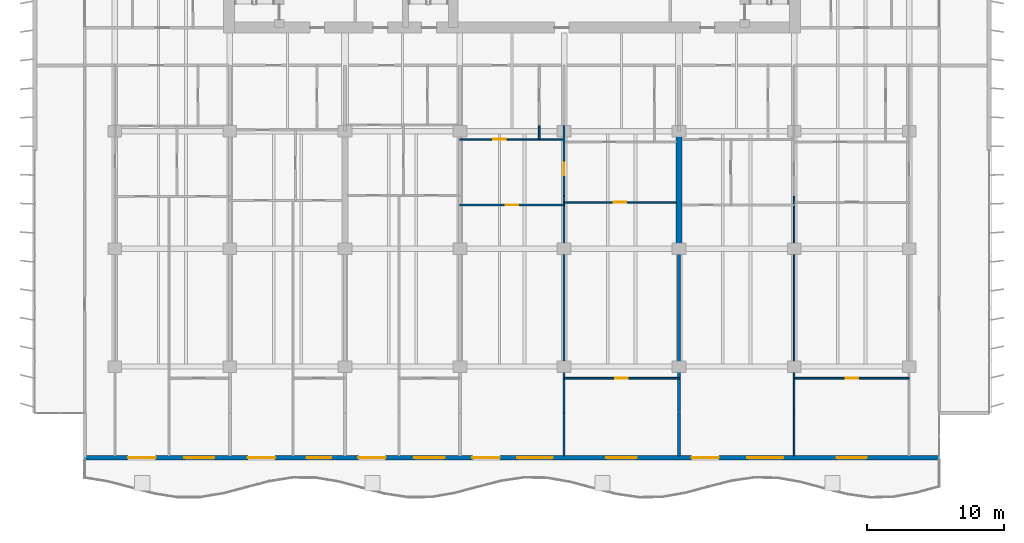
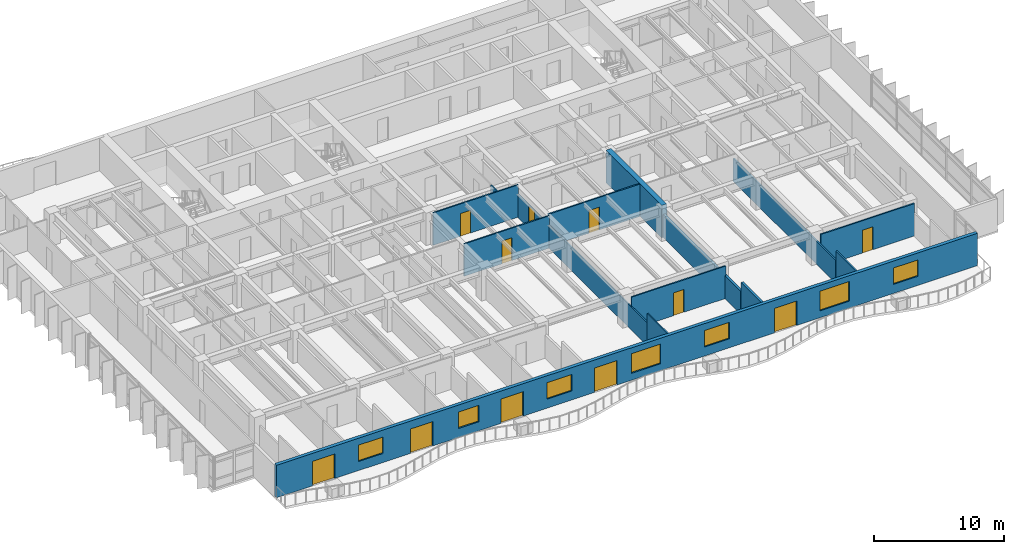
# One storey, part 8 of 16: 15 walls, 11 doors, 7 windows, 18 openings.
"""IFC4 building model written with IfcOpenShell, lengths in metres."""

import ifcopenshell
import ifcopenshell.guid

model = None  # the IFC model being written
_history = None  # IfcOwnerHistory: only IFC2X3 demands one
_inside = {}  # id of a spatial element -> (the spatial element, [elements in it])
_under = {}  # id of a project, library or spatial element -> (it, [spatial elements below it])
_declared = {}  # id of a project -> (the project, [libraries it declares])
_typed = {}  # id of a type object -> (the type object, [elements of that type])
_made_of = {}  # id of a material, layer set ... -> (it, [elements and type objects made of it])


def new_model(schema):
    """Start an empty IFC model of exactly this schema.

    Asked for "IFC4X3", IfcOpenShell would pick the latest addendum, in which some entities
    have other attributes; the version numbers below select the first issue.
    IFC2X3 requires an IfcOwnerHistory on every rooted entity: one is made here for all.
    """
    global model, _history
    if schema == "IFC4X3":
        model = ifcopenshell.file(schema_version=(4, 3, 0, 0))
    else:
        model = ifcopenshell.file(schema=schema)
    _inside.clear()
    _under.clear()
    _declared.clear()
    _typed.clear()
    _made_of.clear()
    _history = None
    if model.schema == "IFC2X3":
        org = make("IfcOrganization", Name="unknown")
        user = make(
            "IfcPersonAndOrganization",
            ThePerson=make("IfcPerson", FamilyName="unknown"),
            TheOrganization=org,
        )
        app = make(
            "IfcApplication",
            ApplicationDeveloper=org,
            Version="unknown",
            ApplicationFullName="unknown",
            ApplicationIdentifier="unknown",
        )
        _history = make(
            "IfcOwnerHistory",
            OwningUser=user,
            OwningApplication=app,
            ChangeAction="ADDED",
            CreationDate=0,
        )
    return model


def make(cls, **values):
    """One entity of the class cls with the attributes given. An attribute that is None is left unset."""
    return model.create_entity(
        cls, **{name: value for name, value in values.items() if value is not None}
    )


def rooted(cls, **values):
    """An entity with a GlobalId (a new one), such as an element, a storey or a relation."""
    return make(cls, GlobalId=ifcopenshell.guid.new(), OwnerHistory=_history, **values)


def si_unit(unit_type, name, prefix=None):
    """IfcSIUnit, for example si_unit("LENGTHUNIT", "METRE", prefix="MILLI")."""
    return make("IfcSIUnit", UnitType=unit_type, Prefix=prefix, Name=name)


def assignment(units):
    """IfcUnitAssignment: the units of a project."""
    return None if units is None else make("IfcUnitAssignment", Units=units)


def point(xyz):
    """IfcCartesianPoint."""
    return None if xyz is None else make("IfcCartesianPoint", Coordinates=xyz)


def direction(xyz):
    """IfcDirection."""
    return None if xyz is None else make("IfcDirection", DirectionRatios=xyz)


def frame(location, z_axis=None, x_axis=None):
    """IfcAxis2Placement3D, a coordinate frame: its origin and axes. An axis left out is left unset."""
    return make(
        "IfcAxis2Placement3D",
        Location=point(location),
        Axis=direction(z_axis),
        RefDirection=direction(x_axis),
    )


def frame_2d(location, x_axis=None):
    """IfcAxis2Placement2D, a coordinate frame in the plane: its origin and x axis."""
    return make(
        "IfcAxis2Placement2D", Location=point(location), RefDirection=direction(x_axis)
    )


def origin():
    """The frame at (0, 0, 0) with its axes left unset."""
    return frame((0.0, 0.0, 0.0))


def place(relative_to, where):
    """IfcLocalPlacement: puts the frame where relative to a parent placement (None: the world)."""
    return make(
        "IfcLocalPlacement", PlacementRelTo=relative_to, RelativePlacement=where
    )


def context(
    kind, dimensions, precision=None, world=None, true_north=None, identifier=None
):
    """IfcGeometricRepresentationContext, for example the 3D "Model" context."""
    return make(
        "IfcGeometricRepresentationContext",
        ContextIdentifier=identifier,
        ContextType=kind,
        CoordinateSpaceDimension=dimensions,
        Precision=precision,
        WorldCoordinateSystem=world,
        TrueNorth=true_north,
    )


def subcontext(parent, identifier, kind, view, scale=None):
    """IfcGeometricRepresentationSubContext, for example "Body" below "Model"."""
    return make(
        "IfcGeometricRepresentationSubContext",
        ContextIdentifier=identifier,
        ContextType=kind,
        ParentContext=parent,
        TargetScale=scale,
        TargetView=view,
    )


def project(units=None, contexts=None):
    """IfcProject with its units and contexts."""
    return rooted(
        "IfcProject",
        Name="project",
        RepresentationContexts=contexts,
        UnitsInContext=assignment(units),
    )


def spatial(cls, under=None, at=None, **own):
    """A site, building, storey or space (cls), placed at a placement, below another one or the project."""
    s = rooted(cls, ObjectPlacement=at, **own)
    if under is not None:
        _under.setdefault(under.id(), (under, []))[1].append(s)
    return s


def profile(cls, at=None, kind="AREA", **sizes):
    """A parametric profile (cls). Its sizes go by their IFC names, for example OverallWidth=200.0."""
    return make(cls, ProfileType=kind, Position=at, **sizes)


def rectangle(**sizes):
    """IfcRectangleProfileDef."""
    return profile("IfcRectangleProfileDef", **sizes)


def extrude(swept, where, along, depth):
    """IfcExtrudedAreaSolid: the profile swept, set in the frame where, extruded along a direction by depth."""
    return make(
        "IfcExtrudedAreaSolid",
        SweptArea=swept,
        Position=where,
        ExtrudedDirection=direction(along),
        Depth=depth,
    )


def shape(context_of_items, identifier, shape_type, items):
    """IfcShapeRepresentation: the items that make up one representation, for example the "Body"."""
    return make(
        "IfcShapeRepresentation",
        ContextOfItems=context_of_items,
        RepresentationIdentifier=identifier,
        RepresentationType=shape_type,
        Items=items,
    )


def material(Name=None, Category=None):
    """IfcMaterial."""
    return make("IfcMaterial", Name=Name, Category=Category)


def layer(
    of_material, thickness, ventilated=None, Name=None, Category=None, Priority=None
):
    """IfcMaterialLayer: one layer of a wall or slab, of a material (None: an air gap)."""
    return make(
        "IfcMaterialLayer",
        Material=of_material,
        LayerThickness=thickness,
        IsVentilated=ventilated,
        Name=Name,
        Category=Category,
        Priority=Priority,
    )


def layer_set(layers, Name=None):
    """IfcMaterialLayerSet."""
    return make("IfcMaterialLayerSet", MaterialLayers=layers, LayerSetName=Name)


def made_of(thing, what):
    """Note that an element or type object is made of a material, layer set ...; save() writes the relation."""
    if what is not None:
        _made_of.setdefault(what.id(), (what, []))[1].append(thing)
    return thing


def type_object(cls, material=None, **own):
    """A type object (cls), such as IfcWallType, which elements share."""
    return made_of(rooted(cls, **own), material)


def element(
    cls,
    number,
    at=None,
    inside=None,
    cuts=None,
    type_object=None,
    material=None,
    context=None,
    identifier="Body",
    shape_type=None,
    held_by="IfcProductDefinitionShape",
    body=None,
    shapes=None,
    **own,
):
    """One element of the class cls, such as IfcWall. Its Tag is "e" and its number.

    at: its placement. inside: the storey or other place that contains it. cuts: it is an
    opening in that element (IfcRelVoidsElement). A single representation is given by context,
    identifier, shape_type and body (its items); several are given by shapes. held_by: the class
    of the entity that holds the representations. save() writes the other relations.
    """
    e = rooted(cls, Tag="e%d" % number, ObjectPlacement=at, **own)
    if body is not None:
        shapes = [shape(context, identifier, shape_type, body)]
    if shapes is not None:
        e.Representation = make(held_by, Representations=shapes)
    if inside is not None:
        _inside.setdefault(inside.id(), (inside, []))[1].append(e)
    if cuts is not None:
        rooted(
            "IfcRelVoidsElement", RelatingBuildingElement=cuts, RelatedOpeningElement=e
        )
    if type_object is not None:
        _typed.setdefault(type_object.id(), (type_object, []))[1].append(e)
    return made_of(e, material)


def fill(opening, filler):
    """IfcRelFillsElement: the door or window that sits in an opening."""
    return rooted(
        "IfcRelFillsElement",
        RelatingOpeningElement=opening,
        RelatedBuildingElement=filler,
    )


def aggregate(whole, parts):
    """IfcRelAggregates: a whole, such as a stair, and the parts it consists of."""
    return rooted("IfcRelAggregates", RelatingObject=whole, RelatedObjects=parts)


def save(model, path):
    """Write the relations noted so far, then the file.

    IfcRelAggregates (storeys below a building ...), IfcRelContainedInSpatialStructure (elements
    in a storey), IfcRelDefinesByType, IfcRelAssociatesMaterial and IfcRelDeclares: one each for
    every whole, place, type object, material and project.
    """
    for whole, parts in _under.values():
        aggregate(whole, parts)
    for where, things in _inside.values():
        rooted(
            "IfcRelContainedInSpatialStructure",
            RelatedElements=things,
            RelatingStructure=where,
        )
    for kind, things in _typed.values():
        rooted("IfcRelDefinesByType", RelatedObjects=things, RelatingType=kind)
    for what, things in _made_of.values():
        rooted("IfcRelAssociatesMaterial", RelatedObjects=things, RelatingMaterial=what)
    for by, libraries in _declared.values():
        rooted("IfcRelDeclares", RelatingContext=by, RelatedDefinitions=libraries)
    model.write(path)


model = new_model("IFC4")

# Units and contexts
model_context = context("Model", 3, precision=1e-05, world=origin(), true_north=direction((0.0, 1.0)))
body_context = subcontext(model_context, "Body", "Model", "MODEL_VIEW")
ifc_project = project(units=[si_unit("LENGTHUNIT", "METRE"), si_unit("AREAUNIT", "SQUARE_METRE"), si_unit("VOLUMEUNIT", "CUBIC_METRE"), si_unit("PLANEANGLEUNIT", "RADIAN"), si_unit("MASSUNIT", "GRAM", prefix="KILO")], contexts=[model_context])

# Site, building, storey
site_placement = place(None, origin())
site = spatial("IfcSite", under=ifc_project, at=site_placement, CompositionType="ELEMENT")
building_placement = place(site_placement, origin())
building = spatial("IfcBuilding", under=site, at=building_placement, Name="Caelmar Bay Residences", CompositionType="ELEMENT")
storey_placement = place(building_placement, frame((0.0, 0.0, 142.199951171875)))
storey = spatial("IfcBuildingStorey", under=building, at=storey_placement, Name="L39", CompositionType="ELEMENT", Elevation=142.199951171875)

# Wall
ifc_material_1 = material(Name="Concrete f'c 55 MPa (8,000 psi)", Category="concrete")
ifc_layer_1 = layer(ifc_material_1, 0.449951171875)
ifc_layer_set_1 = layer_set([ifc_layer_1], Name="Concrete f'c 55 MPa (8,000 psi)")
wall_type_1 = type_object("IfcWallType", Name="SW-XSLB-450", PredefinedType="SHEAR", material=ifc_layer_set_1)
wall_1_placement = place(storey_placement, frame((51.10009765625, 20.800048828125, 0.0), z_axis=(0.0, 0.0, 1.0), x_axis=(0.0, 1.0, 0.0)))
element("IfcWall", 1, at=wall_1_placement, inside=storey, type_object=wall_type_1, Name="L39 Transverse Cross-Slab Shear Wall E8", PredefinedType="SHEAR", context=body_context, shape_type="SweptSolid", body=[
    extrude(rectangle(XDim=8.599853515625, YDim=0.449951171875, at=frame_2d((4.2998046875, 0.0))), origin(), (0.0, 0.0, 1.0), 3.050048828125),
])

# Wall, openings, doors, windows
ifc_material_2 = material(Name="Precast concrete f'c 40 MPa (6,000 psi)", Category="concrete")
ifc_layer_2 = layer(ifc_material_2, 0.300048828125)
ifc_layer_set_2 = layer_set([ifc_layer_2], Name="Precast concrete f'c 40 MPa (6,000 psi)")
wall_type_2 = type_object("IfcWallType", Name="W-EXT-300", PredefinedType="STANDARD", material=ifc_layer_set_2)
wall_2_placement = place(storey_placement, frame((70.10009765625, 5.550048828125, 0.0), z_axis=(0.0, 0.0, 1.0), x_axis=(-1.0, 0.0, 0.0)))
wall_2 = element("IfcWall", 2, at=wall_2_placement, inside=storey, type_object=wall_type_2, Name="L39 South Bayfront Exterior Wall", PredefinedType="STANDARD", context=body_context, shape_type="SweptSolid", body=[
    extrude(rectangle(XDim=62.400146484375, YDim=0.300048828125, at=frame_2d((31.2001953125, 0.0))), origin(), (0.0, 0.0, 1.0), 3.050048828125),
])
opening_1_placement = place(wall_2_placement, frame((57.22607421875, 0.0, 0.0)))
opening_1 = element("IfcOpeningElement", 3, at=opening_1_placement, cuts=wall_2, Name="Opening L39-BD01", PredefinedType="OPENING", context=body_context, shape_type="SweptSolid", body=[
    extrude(rectangle(XDim=2.0, YDim=2.300048828125, at=frame_2d((1.0, 1.14990234375))), frame((0.0, 0.159912109375, 0.0), z_axis=(0.0, -1.0, 0.0), x_axis=(1.0, 0.0, 0.0)), (0.0, 0.0, 1.0), 0.320068359375),
])
opening_2_placement = place(wall_2_placement, frame((52.926025390625, 0.0, 0.85009765625)))
opening_2 = element("IfcOpeningElement", 4, at=opening_2_placement, cuts=wall_2, Name="Opening WN2", PredefinedType="OPENING", context=body_context, shape_type="SweptSolid", body=[
    extrude(rectangle(XDim=2.199951171875, YDim=1.550048828125, at=frame_2d((1.10009765625, 0.77490234375))), frame((0.0, 0.159912109375, 0.0), z_axis=(0.0, -1.0, 0.0), x_axis=(1.0, 0.0, 0.0)), (0.0, 0.0, 1.0), 0.320068359375),
])
opening_3_placement = place(wall_2_placement, frame((48.489990234375, 0.0, 0.0)))
opening_3 = element("IfcOpeningElement", 5, at=opening_3_placement, cuts=wall_2, Name="Opening L39-BD02", PredefinedType="OPENING", context=body_context, shape_type="SweptSolid", body=[
    extrude(rectangle(XDim=2.0, YDim=2.300048828125, at=frame_2d((1.0, 1.14990234375))), frame((0.0, 0.159912109375, 0.0), z_axis=(0.0, -1.0, 0.0), x_axis=(1.0, 0.0, 0.0)), (0.0, 0.0, 1.0), 0.320068359375),
])
opening_4_placement = place(wall_2_placement, frame((44.389892578125, 0.0, 0.85009765625)))
opening_4 = element("IfcOpeningElement", 6, at=opening_4_placement, cuts=wall_2, Name="Opening WN1", PredefinedType="OPENING", context=body_context, shape_type="SweptSolid", body=[
    extrude(rectangle(XDim=1.800048828125, YDim=1.550048828125, at=frame_2d((0.89990234375, 0.77490234375))), frame((0.0, 0.159912109375, 0.0), z_axis=(0.0, -1.0, 0.0), x_axis=(1.0, 0.0, 0.0)), (0.0, 0.0, 1.0), 0.320068359375),
])
opening_5_placement = place(wall_2_placement, frame((40.426025390625, 0.0, 0.0)))
opening_5 = element("IfcOpeningElement", 7, at=opening_5_placement, cuts=wall_2, Name="Opening L39-BD03", PredefinedType="OPENING", context=body_context, shape_type="SweptSolid", body=[
    extrude(rectangle(XDim=2.0, YDim=2.300048828125, at=frame_2d((1.0, 1.14990234375))), frame((0.0, 0.159912109375, 0.0), z_axis=(0.0, -1.0, 0.0), x_axis=(1.0, 0.0, 0.0)), (0.0, 0.0, 1.0), 0.320068359375),
])
opening_6_placement = place(wall_2_placement, frame((36.1259765625, 0.0, 0.85009765625)))
opening_6 = element("IfcOpeningElement", 8, at=opening_6_placement, cuts=wall_2, Name="Opening WN2", PredefinedType="OPENING", context=body_context, shape_type="SweptSolid", body=[
    extrude(rectangle(XDim=2.199951171875, YDim=1.550048828125, at=frame_2d((1.10009765625, 0.77490234375))), frame((0.0, 0.159912109375, 0.0), z_axis=(0.0, -1.0, 0.0), x_axis=(1.0, 0.0, 0.0)), (0.0, 0.0, 1.0), 0.320068359375),
])
opening_7_placement = place(wall_2_placement, frame((32.090087890625, 0.0, 0.0)))
opening_7 = element("IfcOpeningElement", 9, at=opening_7_placement, cuts=wall_2, Name="Opening L39-BD04", PredefinedType="OPENING", context=body_context, shape_type="SweptSolid", body=[
    extrude(rectangle(XDim=2.0, YDim=2.300048828125, at=frame_2d((1.0, 1.14990234375))), frame((0.0, 0.159912109375, 0.0), z_axis=(0.0, -1.0, 0.0), x_axis=(1.0, 0.0, 0.0)), (0.0, 0.0, 1.0), 0.320068359375),
])
opening_8_placement = place(wall_2_placement, frame((28.2099609375, 0.0, 0.64990234375)))
opening_8 = element("IfcOpeningElement", 10, at=opening_8_placement, cuts=wall_2, Name="Opening WN3", PredefinedType="OPENING", context=body_context, shape_type="SweptSolid", body=[
    extrude(rectangle(XDim=2.60009765625, YDim=1.85009765625, at=frame_2d((1.300048828125, 0.925048828125))), frame((0.0, 0.159912109375, 0.0), z_axis=(0.0, -1.0, 0.0), x_axis=(1.0, 0.0, 0.0)), (0.0, 0.0, 1.0), 0.320068359375),
])
opening_9_placement = place(wall_2_placement, frame((22.10009765625, 0.0, 0.85009765625)))
opening_9 = element("IfcOpeningElement", 11, at=opening_9_placement, cuts=wall_2, Name="Opening WN2", PredefinedType="OPENING", context=body_context, shape_type="SweptSolid", body=[
    extrude(rectangle(XDim=2.199951171875, YDim=1.550048828125, at=frame_2d((1.10009765625, 0.77490234375))), frame((0.0, 0.159912109375, 0.0), z_axis=(0.0, -1.0, 0.0), x_axis=(1.0, 0.0, 0.0)), (0.0, 0.0, 1.0), 0.320068359375),
])
opening_10_placement = place(wall_2_placement, frame((16.090087890625, 0.0, 0.0)))
opening_10 = element("IfcOpeningElement", 12, at=opening_10_placement, cuts=wall_2, Name="Opening L39-BD05", PredefinedType="OPENING", context=body_context, shape_type="SweptSolid", body=[
    extrude(rectangle(XDim=2.0, YDim=2.300048828125, at=frame_2d((1.0, 1.14990234375))), frame((0.0, 0.159912109375, 0.0), z_axis=(0.0, -1.0, 0.0), x_axis=(1.0, 0.0, 0.0)), (0.0, 0.0, 1.0), 0.320068359375),
])
opening_11_placement = place(wall_2_placement, frame((11.409912109375, 0.0, 0.64990234375)))
opening_11 = element("IfcOpeningElement", 13, at=opening_11_placement, cuts=wall_2, Name="Opening WN3", PredefinedType="OPENING", context=body_context, shape_type="SweptSolid", body=[
    extrude(rectangle(XDim=2.60009765625, YDim=1.85009765625, at=frame_2d((1.300048828125, 0.925048828125))), frame((0.0, 0.159912109375, 0.0), z_axis=(0.0, -1.0, 0.0), x_axis=(1.0, 0.0, 0.0)), (0.0, 0.0, 1.0), 0.320068359375),
])
opening_12_placement = place(wall_2_placement, frame((5.300048828125, 0.0, 0.85009765625)))
opening_12 = element("IfcOpeningElement", 14, at=opening_12_placement, cuts=wall_2, Name="Opening WN2", PredefinedType="OPENING", context=body_context, shape_type="SweptSolid", body=[
    extrude(rectangle(XDim=2.199951171875, YDim=1.550048828125, at=frame_2d((1.10009765625, 0.77490234375))), frame((0.0, 0.159912109375, 0.0), z_axis=(0.0, -1.0, 0.0), x_axis=(1.0, 0.0, 0.0)), (0.0, 0.0, 1.0), 0.320068359375),
])
ifc_material_3 = material(Name="Anodised bronze thermally broken sliding glass door", Category="glass")
ifc_layer_3 = layer(ifc_material_3, 0.050048828125)
ifc_layer_set_3 = layer_set([ifc_layer_3], Name="Anodised bronze thermally broken sliding glass door")
door_type_1 = type_object("IfcDoorType", Name="D-BAL-2000", OperationType="DOUBLE_DOOR_SLIDING", PredefinedType="DOOR", material=ifc_layer_set_3)
door_1_placement = place(opening_1_placement, origin())
door_1 = element("IfcDoor", 15, at=door_1_placement, inside=storey, type_object=door_type_1, Name="L39 Residence 01 Living Room Balcony Door", OperationType="DOUBLE_DOOR_SLIDING", OverallHeight=2.300048828125, OverallWidth=2.0, PredefinedType="DOOR", context=body_context, shape_type="SweptSolid", body=[
    extrude(rectangle(XDim=2.0, YDim=2.300048828125, at=frame_2d((1.0, 1.14990234375))), frame((0.0, 0.02490234375, 0.0), z_axis=(0.0, -1.0, 0.0), x_axis=(1.0, 0.0, 0.0)), (0.0, 0.0, 1.0), 0.050048828125),
])
fill(opening_1, door_1)
door_2_placement = place(opening_3_placement, origin())
door_2 = element("IfcDoor", 16, at=door_2_placement, inside=storey, type_object=door_type_1, Name="L39 Residence 02 Penthouse Living Salon Balcony Door", OperationType="DOUBLE_DOOR_SLIDING", OverallHeight=2.300048828125, OverallWidth=2.0, PredefinedType="DOOR", context=body_context, shape_type="SweptSolid", body=[
    extrude(rectangle(XDim=2.0, YDim=2.300048828125, at=frame_2d((1.0, 1.14990234375))), frame((0.0, 0.02490234375, 0.0), z_axis=(0.0, -1.0, 0.0), x_axis=(1.0, 0.0, 0.0)), (0.0, 0.0, 1.0), 0.050048828125),
])
fill(opening_3, door_2)
door_3_placement = place(opening_5_placement, origin())
door_3 = element("IfcDoor", 17, at=door_3_placement, inside=storey, type_object=door_type_1, Name="L39 Residence 03 Living Room Balcony Door", OperationType="DOUBLE_DOOR_SLIDING", OverallHeight=2.300048828125, OverallWidth=2.0, PredefinedType="DOOR", context=body_context, shape_type="SweptSolid", body=[
    extrude(rectangle(XDim=2.0, YDim=2.300048828125, at=frame_2d((1.0, 1.14990234375))), frame((0.0, 0.02490234375, 0.0), z_axis=(0.0, -1.0, 0.0), x_axis=(1.0, 0.0, 0.0)), (0.0, 0.0, 1.0), 0.050048828125),
])
fill(opening_5, door_3)
door_4_placement = place(opening_7_placement, origin())
door_4 = element("IfcDoor", 18, at=door_4_placement, inside=storey, type_object=door_type_1, Name="L39 Residence 04 Penthouse Living Salon Balcony Door", OperationType="DOUBLE_DOOR_SLIDING", OverallHeight=2.300048828125, OverallWidth=2.0, PredefinedType="DOOR", context=body_context, shape_type="SweptSolid", body=[
    extrude(rectangle(XDim=2.0, YDim=2.300048828125, at=frame_2d((1.0, 1.14990234375))), frame((0.0, 0.02490234375, 0.0), z_axis=(0.0, -1.0, 0.0), x_axis=(1.0, 0.0, 0.0)), (0.0, 0.0, 1.0), 0.050048828125),
])
fill(opening_7, door_4)
door_5_placement = place(opening_10_placement, origin())
door_5 = element("IfcDoor", 19, at=door_5_placement, inside=storey, type_object=door_type_1, Name="L39 Residence 05 Penthouse Living Salon Balcony Door", OperationType="DOUBLE_DOOR_SLIDING", OverallHeight=2.300048828125, OverallWidth=2.0, PredefinedType="DOOR", context=body_context, shape_type="SweptSolid", body=[
    extrude(rectangle(XDim=2.0, YDim=2.300048828125, at=frame_2d((1.0, 1.14990234375))), frame((0.0, 0.02490234375, 0.0), z_axis=(0.0, -1.0, 0.0), x_axis=(1.0, 0.0, 0.0)), (0.0, 0.0, 1.0), 0.050048828125),
])
fill(opening_10, door_5)
ifc_material_4 = material(Name="Bronze aluminium frame with laminated low-E glass", Category="aluminium")
ifc_layer_4 = layer(ifc_material_4, 0.06005859375)
ifc_layer_set_4 = layer_set([ifc_layer_4], Name="Bronze aluminium frame with laminated low-E glass")
window_type_1 = type_object("IfcWindowType", Name="WIN-BR-1800", PartitioningType="SINGLE_PANEL", PredefinedType="WINDOW", material=ifc_layer_set_4)
window_1_placement = place(opening_4_placement, origin())
window_1 = element("IfcWindow", 20, at=window_1_placement, inside=storey, type_object=window_type_1, Name="L39 Residence 02 Primary Bedroom Window", OverallHeight=1.550048828125, OverallWidth=1.800048828125, PartitioningType="SINGLE_PANEL", PredefinedType="WINDOW", context=body_context, shape_type="SweptSolid", body=[
    extrude(rectangle(XDim=1.800048828125, YDim=1.550048828125, at=frame_2d((0.89990234375, 0.77490234375))), frame((0.0, 0.030029296875, 0.0), z_axis=(0.0, -1.0, 0.0), x_axis=(1.0, 0.0, 0.0)), (0.0, 0.0, 1.0), 0.06005859375),
])
fill(opening_4, window_1)
ifc_layer_5 = layer(ifc_material_4, 0.06005859375)
ifc_layer_set_5 = layer_set([ifc_layer_5], Name="Bronze aluminium frame with laminated low-E glass")
window_type_2 = type_object("IfcWindowType", Name="WIN-BR-2200", PartitioningType="SINGLE_PANEL", PredefinedType="WINDOW", material=ifc_layer_set_5)
window_2_placement = place(opening_2_placement, origin())
window_2 = element("IfcWindow", 21, at=window_2_placement, inside=storey, type_object=window_type_2, Name="L39 Residence 01 Primary Bedroom Window", OverallHeight=1.550048828125, OverallWidth=2.199951171875, PartitioningType="SINGLE_PANEL", PredefinedType="WINDOW", context=body_context, shape_type="SweptSolid", body=[
    extrude(rectangle(XDim=2.199951171875, YDim=1.550048828125, at=frame_2d((1.10009765625, 0.77490234375))), frame((0.0, 0.030029296875, 0.0), z_axis=(0.0, -1.0, 0.0), x_axis=(1.0, 0.0, 0.0)), (0.0, 0.0, 1.0), 0.06005859375),
])
fill(opening_2, window_2)
window_3_placement = place(opening_6_placement, origin())
window_3 = element("IfcWindow", 22, at=window_3_placement, inside=storey, type_object=window_type_2, Name="L39 Residence 03 Primary Bedroom Window", OverallHeight=1.550048828125, OverallWidth=2.199951171875, PartitioningType="SINGLE_PANEL", PredefinedType="WINDOW", context=body_context, shape_type="SweptSolid", body=[
    extrude(rectangle(XDim=2.199951171875, YDim=1.550048828125, at=frame_2d((1.10009765625, 0.77490234375))), frame((0.0, 0.030029296875, 0.0), z_axis=(0.0, -1.0, 0.0), x_axis=(1.0, 0.0, 0.0)), (0.0, 0.0, 1.0), 0.06005859375),
])
fill(opening_6, window_3)
window_4_placement = place(opening_9_placement, origin())
window_4 = element("IfcWindow", 23, at=window_4_placement, inside=storey, type_object=window_type_2, Name="L39 Residence 04 Primary Bedroom 1 Window", OverallHeight=1.550048828125, OverallWidth=2.199951171875, PartitioningType="SINGLE_PANEL", PredefinedType="WINDOW", context=body_context, shape_type="SweptSolid", body=[
    extrude(rectangle(XDim=2.199951171875, YDim=1.550048828125, at=frame_2d((1.10009765625, 0.77490234375))), frame((0.0, 0.030029296875, 0.0), z_axis=(0.0, -1.0, 0.0), x_axis=(1.0, 0.0, 0.0)), (0.0, 0.0, 1.0), 0.06005859375),
])
fill(opening_9, window_4)
window_5_placement = place(opening_12_placement, origin())
window_5 = element("IfcWindow", 24, at=window_5_placement, inside=storey, type_object=window_type_2, Name="L39 Residence 05 Primary Bedroom 1 Window", OverallHeight=1.550048828125, OverallWidth=2.199951171875, PartitioningType="SINGLE_PANEL", PredefinedType="WINDOW", context=body_context, shape_type="SweptSolid", body=[
    extrude(rectangle(XDim=2.199951171875, YDim=1.550048828125, at=frame_2d((1.10009765625, 0.77490234375))), frame((0.0, 0.030029296875, 0.0), z_axis=(0.0, -1.0, 0.0), x_axis=(1.0, 0.0, 0.0)), (0.0, 0.0, 1.0), 0.06005859375),
])
fill(opening_12, window_5)
ifc_layer_6 = layer(ifc_material_4, 0.06005859375)
ifc_layer_set_6 = layer_set([ifc_layer_6], Name="Bronze aluminium frame with laminated low-E glass")
window_type_3 = type_object("IfcWindowType", Name="WIN-LIV-2600", PartitioningType="SINGLE_PANEL", PredefinedType="WINDOW", material=ifc_layer_set_6)
window_6_placement = place(opening_8_placement, origin())
window_6 = element("IfcWindow", 25, at=window_6_placement, inside=storey, type_object=window_type_3, Name="L39 Residence 04 Penthouse Living Salon Panoramic Window", OverallHeight=1.85009765625, OverallWidth=2.60009765625, PartitioningType="SINGLE_PANEL", PredefinedType="WINDOW", context=body_context, shape_type="SweptSolid", body=[
    extrude(rectangle(XDim=2.60009765625, YDim=1.85009765625, at=frame_2d((1.300048828125, 0.925048828125))), frame((0.0, 0.030029296875, 0.0), z_axis=(0.0, -1.0, 0.0), x_axis=(1.0, 0.0, 0.0)), (0.0, 0.0, 1.0), 0.06005859375),
])
fill(opening_8, window_6)
window_7_placement = place(opening_11_placement, origin())
window_7 = element("IfcWindow", 26, at=window_7_placement, inside=storey, type_object=window_type_3, Name="L39 Residence 05 Penthouse Living Salon Panoramic Window", OverallHeight=1.85009765625, OverallWidth=2.60009765625, PartitioningType="SINGLE_PANEL", PredefinedType="WINDOW", context=body_context, shape_type="SweptSolid", body=[
    extrude(rectangle(XDim=2.60009765625, YDim=1.85009765625, at=frame_2d((1.300048828125, 0.925048828125))), frame((0.0, 0.030029296875, 0.0), z_axis=(0.0, -1.0, 0.0), x_axis=(1.0, 0.0, 0.0)), (0.0, 0.0, 1.0), 0.06005859375),
])
fill(opening_11, window_7)

# Walls
ifc_material_5 = material(Name="Acoustic metal-stud gypsum partition 120 mm")
ifc_layer_7 = layer(ifc_material_5, 0.1201171875)
ifc_layer_set_7 = layer_set([ifc_layer_7], Name="Acoustic metal-stud gypsum partition 120 mm")
wall_type_3 = type_object("IfcWallType", Name="W-PRT-120", PredefinedType="PARTITIONING", material=ifc_layer_set_7)
wall_3_placement = place(storey_placement, frame((40.885009765625, 28.800048828125, 0.0), z_axis=(0.0, 0.0, 1.0), x_axis=(0.0, 1.0, 0.0)))
element("IfcWall", 27, at=wall_3_placement, inside=storey, type_object=wall_type_3, Name="L39 Partition Wall V044", PredefinedType="PARTITIONING", context=body_context, shape_type="SweptSolid", body=[
    extrude(rectangle(XDim=0.97998046875, YDim=0.1201171875, at=frame_2d((0.489990234375, 0.0))), origin(), (0.0, 0.0, 1.0), 3.050048828125),
])
wall_4_placement = place(storey_placement, frame((42.699951171875, 5.695068359375, 0.0), z_axis=(0.0, 0.0, 1.0), x_axis=(0.0, 1.0, 0.0)))
element("IfcWall", 28, at=wall_4_placement, inside=storey, type_object=wall_type_3, Name="L39 Partition Wall V047", PredefinedType="PARTITIONING", context=body_context, shape_type="SweptSolid", body=[
    extrude(rectangle(XDim=3.10498046875, YDim=0.1201171875, at=frame_2d((1.552490234375, 0.0))), origin(), (0.0, 0.0, 1.0), 3.050048828125),
])
wall_5_placement = place(storey_placement, frame((42.699951171875, 8.840087890625, 0.0), z_axis=(0.0, 0.0, 1.0), x_axis=(0.0, 1.0, 0.0)))
element("IfcWall", 29, at=wall_5_placement, inside=storey, type_object=wall_type_3, Name="L39 Partition Wall V048", PredefinedType="PARTITIONING", context=body_context, shape_type="SweptSolid", body=[
    extrude(rectangle(XDim=15.789794921875, YDim=0.1201171875, at=frame_2d((7.89501953125, 0.0))), origin(), (0.0, 0.0, 1.0), 2.174072265625),
])

# Wall, opening, door
wall_6_placement = place(storey_placement, frame((42.699951171875, 24.68994140625, 0.0), z_axis=(0.0, 0.0, 1.0), x_axis=(0.0, 1.0, 0.0)))
wall_6 = element("IfcWall", 30, at=wall_6_placement, inside=storey, type_object=wall_type_3, Name="L39 Partition Wall V049", PredefinedType="PARTITIONING", context=body_context, shape_type="SweptSolid", body=[
    extrude(rectangle(XDim=5.090087890625, YDim=0.1201171875, at=frame_2d((2.544921875, 0.0))), origin(), (0.0, 0.0, 1.0), 2.174072265625),
])
opening_13_placement = place(wall_6_placement, frame((1.5048828125, 0.0, 0.0)))
opening_13 = element("IfcOpeningElement", 31, at=opening_13_placement, cuts=wall_6, Name="Opening D-L39-147", PredefinedType="OPENING", context=body_context, shape_type="SweptSolid", body=[
    extrude(rectangle(XDim=0.89990234375, YDim=2.1240234375, at=frame_2d((0.449951171875, 1.06201171875))), frame((0.0, 0.070068359375, 0.0), z_axis=(0.0, -1.0, 0.0), x_axis=(1.0, 0.0, 0.0)), (0.0, 0.0, 1.0), 0.14013671875),
])
ifc_material_6 = material(Name="Solid walnut timber interior door leaf and frame", Category="wood")
ifc_layer_8 = layer(ifc_material_6, 0.050048828125)
ifc_layer_set_8 = layer_set([ifc_layer_8], Name="Solid walnut timber interior door leaf and frame")
door_type_2 = type_object("IfcDoorType", Name="D-ROOM-900", OperationType="NOTDEFINED", PredefinedType="DOOR", material=ifc_layer_set_8)
door_6_placement = place(opening_13_placement, origin())
door_6 = element("IfcDoor", 32, at=door_6_placement, inside=storey, type_object=door_type_2, Name="L39 Residence 04 Atelier Office 1 Door", OperationType="SINGLE_SWING_LEFT", OverallHeight=2.1240234375, OverallWidth=0.89990234375, PredefinedType="DOOR", context=body_context, shape_type="SweptSolid", body=[
    extrude(rectangle(XDim=0.89990234375, YDim=2.1240234375, at=frame_2d((0.449951171875, 1.06201171875))), frame((0.0, 0.02490234375, 0.0), z_axis=(0.0, -1.0, 0.0), x_axis=(1.0, 0.0, 0.0)), (0.0, 0.0, 1.0), 0.050048828125),
])
fill(opening_13, door_6)

# Walls
wall_7_placement = place(storey_placement, frame((59.5, 5.695068359375, 0.0), z_axis=(0.0, 0.0, 1.0), x_axis=(0.0, 1.0, 0.0)))
element("IfcWall", 33, at=wall_7_placement, inside=storey, type_object=wall_type_3, Name="L39 Partition Wall V070", PredefinedType="PARTITIONING", context=body_context, shape_type="SweptSolid", body=[
    extrude(rectangle(XDim=3.10498046875, YDim=0.1201171875, at=frame_2d((1.552490234375, 0.0))), origin(), (0.0, 0.0, 1.0), 3.050048828125),
])
wall_8_placement = place(storey_placement, frame((59.5, 8.840087890625, 0.0), z_axis=(0.0, 0.0, 1.0), x_axis=(0.0, 1.0, 0.0)))
element("IfcWall", 34, at=wall_8_placement, inside=storey, type_object=wall_type_3, Name="L39 Partition Wall V071", PredefinedType="PARTITIONING", context=body_context, shape_type="SweptSolid", body=[
    extrude(rectangle(XDim=15.789794921875, YDim=0.1201171875, at=frame_2d((7.89501953125, 0.0))), origin(), (0.0, 0.0, 1.0), 2.174072265625),
])

# Wall, opening, door
wall_9_placement = place(storey_placement, frame((42.699951171875, 11.35009765625, 0.0), z_axis=(0.0, 0.0, 1.0), x_axis=(1.0, 0.0, 0.0)))
wall_9 = element("IfcWall", 35, at=wall_9_placement, inside=storey, type_object=wall_type_3, Name="L39 Partition Wall H091", PredefinedType="PARTITIONING", context=body_context, shape_type="SweptSolid", body=[
    extrude(rectangle(XDim=8.400146484375, YDim=0.1201171875, at=frame_2d((4.2001953125, 0.0))), origin(), (0.0, 0.0, 1.0), 3.050048828125),
])
opening_14_placement = place(wall_9_placement, frame((3.75, 0.0, 0.0)))
opening_14 = element("IfcOpeningElement", 36, at=opening_14_placement, cuts=wall_9, Name="Opening D-L39-151", PredefinedType="OPENING", context=body_context, shape_type="SweptSolid", body=[
    extrude(rectangle(XDim=0.89990234375, YDim=2.14990234375, at=frame_2d((0.449951171875, 1.074951171875))), frame((0.0, 0.070068359375, 0.0), z_axis=(0.0, -1.0, 0.0), x_axis=(1.0, 0.0, 0.0)), (0.0, 0.0, 1.0), 0.14013671875),
])
door_7_placement = place(opening_14_placement, origin())
door_7 = element("IfcDoor", 37, at=door_7_placement, inside=storey, type_object=door_type_2, Name="L39 Residence 04 Primary Bedroom 1 Door", OperationType="SINGLE_SWING_LEFT", OverallHeight=2.14990234375, OverallWidth=0.89990234375, PredefinedType="DOOR", context=body_context, shape_type="SweptSolid", body=[
    extrude(rectangle(XDim=0.89990234375, YDim=2.14990234375, at=frame_2d((0.449951171875, 1.074951171875))), frame((0.0, 0.02490234375, 0.0), z_axis=(0.0, -1.0, 0.0), x_axis=(1.0, 0.0, 0.0)), (0.0, 0.0, 1.0), 0.050048828125),
])
fill(opening_14, door_7)

wall_10_placement = place(storey_placement, frame((59.550048828125, 11.35009765625, 0.0), z_axis=(0.0, 0.0, 1.0), x_axis=(1.0, 0.0, 0.0)))
wall_10 = element("IfcWall", 38, at=wall_10_placement, inside=storey, type_object=wall_type_3, Name="L39 Partition Wall H092", PredefinedType="PARTITIONING", context=body_context, shape_type="SweptSolid", body=[
    extrude(rectangle(XDim=8.349853515625, YDim=0.1201171875, at=frame_2d((4.1748046875, 0.0))), origin(), (0.0, 0.0, 1.0), 3.050048828125),
])
opening_15_placement = place(wall_10_placement, frame((3.72509765625, 0.0, 0.0)))
opening_15 = element("IfcOpeningElement", 39, at=opening_15_placement, cuts=wall_10, Name="Opening D-L39-161", PredefinedType="OPENING", context=body_context, shape_type="SweptSolid", body=[
    extrude(rectangle(XDim=0.89990234375, YDim=2.14990234375, at=frame_2d((0.449951171875, 1.074951171875))), frame((0.0, 0.070068359375, 0.0), z_axis=(0.0, -1.0, 0.0), x_axis=(1.0, 0.0, 0.0)), (0.0, 0.0, 1.0), 0.14013671875),
])
door_8_placement = place(opening_15_placement, origin())
door_8 = element("IfcDoor", 40, at=door_8_placement, inside=storey, type_object=door_type_2, Name="L39 Residence 05 Primary Bedroom 1 Door", OperationType="SINGLE_SWING_LEFT", OverallHeight=2.14990234375, OverallWidth=0.89990234375, PredefinedType="DOOR", context=body_context, shape_type="SweptSolid", body=[
    extrude(rectangle(XDim=0.89990234375, YDim=2.14990234375, at=frame_2d((0.449951171875, 1.074951171875))), frame((0.0, 0.02490234375, 0.0), z_axis=(0.0, -1.0, 0.0), x_axis=(1.0, 0.0, 0.0)), (0.0, 0.0, 1.0), 0.050048828125),
])
fill(opening_15, door_8)

wall_11_placement = place(storey_placement, frame((35.10009765625, 24.0, 0.0), z_axis=(0.0, 0.0, 1.0), x_axis=(1.0, 0.0, 0.0)))
wall_11 = element("IfcWall", 41, at=wall_11_placement, inside=storey, type_object=wall_type_3, Name="L39 Partition Wall H093", PredefinedType="PARTITIONING", context=body_context, shape_type="SweptSolid", body=[
    extrude(rectangle(XDim=7.599853515625, YDim=0.1201171875, at=frame_2d((3.7998046875, 0.0))), origin(), (0.0, 0.0, 1.0), 3.050048828125),
])
opening_16_placement = place(wall_11_placement, frame((3.35009765625, 0.0, 0.0)))
opening_16 = element("IfcOpeningElement", 42, at=opening_16_placement, cuts=wall_11, Name="Opening D-L39-146", PredefinedType="OPENING", context=body_context, shape_type="SweptSolid", body=[
    extrude(rectangle(XDim=0.89990234375, YDim=2.14990234375, at=frame_2d((0.449951171875, 1.074951171875))), frame((0.0, 0.070068359375, 0.0), z_axis=(0.0, -1.0, 0.0), x_axis=(1.0, 0.0, 0.0)), (0.0, 0.0, 1.0), 0.14013671875),
])
door_9_placement = place(opening_16_placement, origin())
door_9 = element("IfcDoor", 43, at=door_9_placement, inside=storey, type_object=door_type_2, Name="L39 Residence 04 Penthouse Living Salon Door", OperationType="SINGLE_SWING_RIGHT", OverallHeight=2.14990234375, OverallWidth=0.89990234375, PredefinedType="DOOR", context=body_context, shape_type="SweptSolid", body=[
    extrude(rectangle(XDim=0.89990234375, YDim=2.14990234375, at=frame_2d((0.449951171875, 1.074951171875))), frame((0.0, 0.02490234375, 0.0), z_axis=(0.0, -1.0, 0.0), x_axis=(1.0, 0.0, 0.0)), (0.0, 0.0, 1.0), 0.050048828125),
])
fill(opening_16, door_9)

wall_12_placement = place(storey_placement, frame((42.705078125, 24.199951171875, 0.0), z_axis=(0.0, 0.0, 1.0), x_axis=(1.0, 0.0, 0.0)))
wall_12 = element("IfcWall", 44, at=wall_12_placement, inside=storey, type_object=wall_type_3, Name="L39 Partition Wall H095", PredefinedType="PARTITIONING", context=body_context, shape_type="SweptSolid", body=[
    extrude(rectangle(XDim=8.1748046875, YDim=0.1201171875, at=frame_2d((4.08740234375, 0.0))), origin(), (0.0, 0.0, 1.0), 3.050048828125),
])
opening_17_placement = place(wall_12_placement, frame((3.637451171875, 0.0, 0.0)))
opening_17 = element("IfcOpeningElement", 45, at=opening_17_placement, cuts=wall_12, Name="Opening D-L39-150", PredefinedType="OPENING", context=body_context, shape_type="SweptSolid", body=[
    extrude(rectangle(XDim=0.89990234375, YDim=2.14990234375, at=frame_2d((0.449951171875, 1.074951171875))), frame((0.0, 0.070068359375, 0.0), z_axis=(0.0, -1.0, 0.0), x_axis=(1.0, 0.0, 0.0)), (0.0, 0.0, 1.0), 0.14013671875),
])
door_10_placement = place(opening_17_placement, origin())
door_10 = element("IfcDoor", 46, at=door_10_placement, inside=storey, type_object=door_type_2, Name="L39 Residence 04 Penthouse Sitting Salon 1 Door", OperationType="SINGLE_SWING_RIGHT", OverallHeight=2.14990234375, OverallWidth=0.89990234375, PredefinedType="DOOR", context=body_context, shape_type="SweptSolid", body=[
    extrude(rectangle(XDim=0.89990234375, YDim=2.14990234375, at=frame_2d((0.449951171875, 1.074951171875))), frame((0.0, 0.02490234375, 0.0), z_axis=(0.0, -1.0, 0.0), x_axis=(1.0, 0.0, 0.0)), (0.0, 0.0, 1.0), 0.050048828125),
])
fill(opening_17, door_10)

wall_13_placement = place(storey_placement, frame((35.10009765625, 28.800048828125, 0.0), z_axis=(0.0, 0.0, 1.0), x_axis=(1.0, 0.0, 0.0)))
wall_13 = element("IfcWall", 47, at=wall_13_placement, inside=storey, type_object=wall_type_3, Name="L39 Partition Wall H102", PredefinedType="PARTITIONING", context=body_context, shape_type="SweptSolid", body=[
    extrude(rectangle(XDim=7.594970703125, YDim=0.1201171875, at=frame_2d((3.79736328125, 0.0))), origin(), (0.0, 0.0, 1.0), 3.050048828125),
])
opening_18_placement = place(wall_13_placement, frame((2.4423828125, 0.0, 0.0)))
opening_18 = element("IfcOpeningElement", 48, at=opening_18_placement, cuts=wall_13, Name="Opening D-L39-145", PredefinedType="OPENING", context=body_context, shape_type="SweptSolid", body=[
    extrude(rectangle(XDim=0.89990234375, YDim=2.14990234375, at=frame_2d((0.449951171875, 1.074951171875))), frame((0.0, 0.070068359375, 0.0), z_axis=(0.0, -1.0, 0.0), x_axis=(1.0, 0.0, 0.0)), (0.0, 0.0, 1.0), 0.14013671875),
])
door_11_placement = place(opening_18_placement, origin())
door_11 = element("IfcDoor", 49, at=door_11_placement, inside=storey, type_object=door_type_2, Name="L39 Residence 04 Kitchen Door", OperationType="SINGLE_SWING_LEFT", OverallHeight=2.14990234375, OverallWidth=0.89990234375, PredefinedType="DOOR", context=body_context, shape_type="SweptSolid", body=[
    extrude(rectangle(XDim=0.89990234375, YDim=2.14990234375, at=frame_2d((0.449951171875, 1.074951171875))), frame((0.0, 0.02490234375, 0.0), z_axis=(0.0, -1.0, 0.0), x_axis=(1.0, 0.0, 0.0)), (0.0, 0.0, 1.0), 0.050048828125),
])
fill(opening_18, door_11)

# Walls
ifc_material_7 = material(Name="Acoustic twin-stud fire-rated inter-tenancy partition 200 mm")
ifc_layer_9 = layer(ifc_material_7, 0.199951171875)
ifc_layer_set_9 = layer_set([ifc_layer_9], Name="Acoustic twin-stud fire-rated inter-tenancy partition 200 mm")
wall_type_4 = type_object("IfcWallType", Name="W-PTY-200", PredefinedType="PARTITIONING", material=ifc_layer_set_9)
wall_14_placement = place(storey_placement, frame((51.10009765625, 5.695068359375, 0.0), z_axis=(0.0, 0.0, 1.0), x_axis=(0.0, 1.0, 0.0)))
element("IfcWall", 50, at=wall_14_placement, inside=storey, type_object=wall_type_4, Name="L39 Partition Wall V060", PredefinedType="PARTITIONING", context=body_context, shape_type="SweptSolid", body=[
    extrude(rectangle(XDim=3.10498046875, YDim=0.199951171875, at=frame_2d((1.552490234375, 0.0))), origin(), (0.0, 0.0, 1.0), 3.050048828125),
])
wall_15_placement = place(storey_placement, frame((51.10009765625, 8.840087890625, 0.0), z_axis=(0.0, 0.0, 1.0), x_axis=(0.0, 1.0, 0.0)))
element("IfcWall", 51, at=wall_15_placement, inside=storey, type_object=wall_type_4, Name="L39 Partition Wall V061", PredefinedType="PARTITIONING", context=body_context, shape_type="SweptSolid", body=[
    extrude(rectangle(XDim=11.954833984375, YDim=0.199951171875, at=frame_2d((5.9775390625, 0.0))), origin(), (0.0, 0.0, 1.0), 2.174072265625),
])

save(model, "model.ifc")
